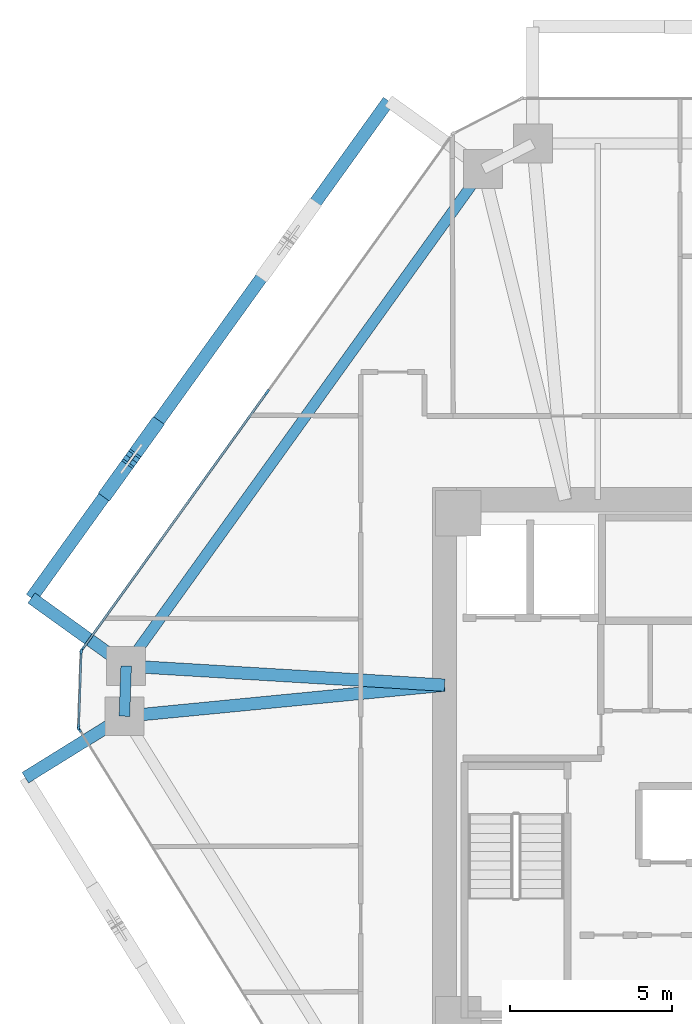
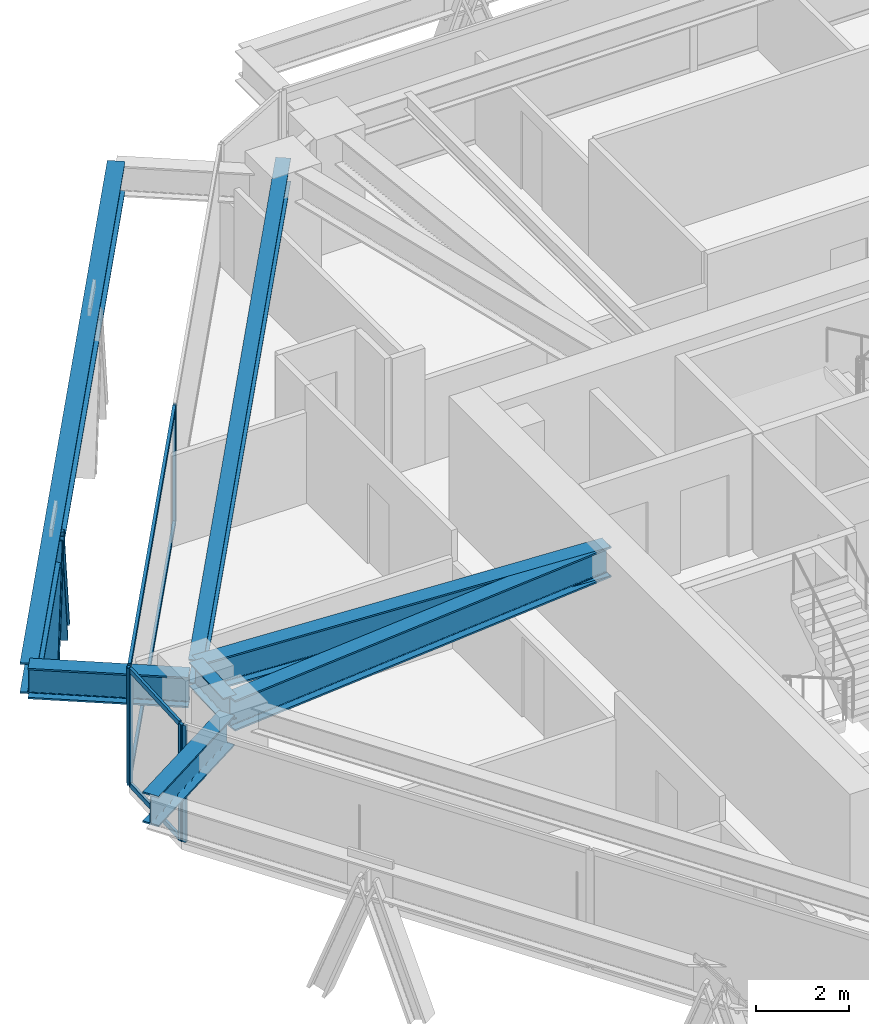
# One storey, part 4 of 16: 11 members, 7 beams, 3 elements without a shape of their own.
"""IFC4 building model written with IfcOpenShell, lengths in metres."""

from ifc_helpers import new_model, si_unit, direction, frame, origin, origin_2d, place, context, subcontext, project, spatial, rectangle, i_section, extrude, source, transform, mapped, material, layer, layer_set, material_profile, profile_set, type_object, type_shapes, element, aggregate, save


model = new_model("IFC4")

# Units and contexts
model_context = context("Model", 3, precision=1e-05, world=origin(), true_north=direction((0.0, 1.0)))
body_context = subcontext(model_context, "Body", "Model", "MODEL_VIEW")
ifc_project = project(units=[si_unit("LENGTHUNIT", "METRE"), si_unit("AREAUNIT", "SQUARE_METRE"), si_unit("VOLUMEUNIT", "CUBIC_METRE"), si_unit("PLANEANGLEUNIT", "RADIAN"), si_unit("MASSUNIT", "GRAM", prefix="KILO")], contexts=[model_context])

# Site, building, storey
site_placement = place(None, origin())
site = spatial("IfcSite", under=ifc_project, at=site_placement, CompositionType="ELEMENT")
building_placement = place(site_placement, origin())
building = spatial("IfcBuilding", under=site, at=building_placement, Name="Durnholm Broadcast Tower", CompositionType="ELEMENT")
storey_placement = place(building_placement, frame((0.0, 0.0, 110.699951171875)))
storey = spatial("IfcBuildingStorey", under=building, at=storey_placement, Name="L29", CompositionType="ELEMENT", Elevation=110.699951171875)

# Beams
ifc_material_1 = material(Name="Steel ASTM A992 Grade 50", Category="steel")
ifc_material_profile_1 = material_profile(ifc_material_1, i_section(OverallWidth=0.385009765625, OverallDepth=0.802978515625, WebThickness=0.023681640625, FlangeThickness=0.0419921875, FilletRadius=0.032958984375, at=origin_2d()), Name="W30X261")
ifc_profile_set_1 = profile_set([ifc_material_profile_1], Name="Steel ASTM A992 Grade 50")
beam_type_1 = type_object("IfcBeamType", Name="BM-EXO-TIE", PredefinedType="USERDEFINED", material=ifc_profile_set_1)
shared_shape_1 = source(origin(), body_context, "Body", "SweptSolid", [
    extrude(i_section(OverallWidth=0.385009765625, OverallDepth=0.802978515625, WebThickness=0.023681640625, FlangeThickness=0.0419921875, FilletRadius=0.032958984375, at=origin_2d()), origin(), (0.0, 0.0, 1.0), 3.4560546875),
])
for number, where, z_axis, x_axis, name in (
    (1, (-20.1669921875, 3.175048828125, 2.30859375), (-0.812164951739, 0.583427880005, 0.0), (-0.583427880005, -0.812164951739, 0.0), "L29 exoskeleton stand-off tie bracket F5.2"),
    (2, (-20.22509765625, 1.465576171875, 2.30859375), (-0.849795112316, -0.527113144481, 0.0), (0.527113144481, -0.849795112316, 0.0), "L29 exoskeleton stand-off tie bracket F6.1"),
):
    element("IfcBeam", number, at=place(storey_placement, frame(where, z_axis=z_axis, x_axis=x_axis)), inside=storey, type_object=beam_type_1, Name=name, ObjectType="GIRDER", PredefinedType="USERDEFINED", context=body_context, shape_type="MappedRepresentation", body=[
        mapped(shared_shape_1, transform((0.0, 0.0, 0.0), x_axis=(1.0, 0.0, 0.0), y_axis=(0.0, 1.0, 0.0), z_axis=(0.0, 0.0, 1.0), scale=1.0)),
    ])
ifc_material_profile_2 = material_profile(ifc_material_1, i_section(OverallWidth=0.3291015625, OverallDepth=0.635009765625, WebThickness=0.017822265625, FlangeThickness=0.031005859375, FilletRadius=0.02783203125, at=origin_2d()), Name="W24X162")
ifc_profile_set_2 = profile_set([ifc_material_profile_2], Name="Steel ASTM A992 Grade 50")
beam_type_2 = type_object("IfcBeamType", Name="STL-SP-W24X162", PredefinedType="SPANDREL", material=ifc_profile_set_2)
shared_shape_2 = source(origin(), body_context, "Body", "SweptSolid", [
    extrude(i_section(OverallWidth=0.3291015625, OverallDepth=0.635009765625, WebThickness=0.017822265625, FlangeThickness=0.031005859375, FilletRadius=0.02783203125, at=origin_2d()), origin(), (0.0, 0.0, 1.0), 1.550537109375),
])
beam_1_placement = place(storey_placement, frame((-20.102783203125, 1.54150390625, 2.7275390625), z_axis=(0.034012135923, 0.999421419928, 0.0), x_axis=(-0.999421419928, 0.034012135923, 0.0)))
element("IfcBeam", 3, at=beam_1_placement, inside=storey, type_object=beam_type_2, Name="L29 perimeter spandrel girder 02", PredefinedType="SPANDREL", context=body_context, shape_type="MappedRepresentation", body=[
    mapped(shared_shape_2, transform((0.0, 0.0, 0.0), x_axis=(1.0, 0.0, 0.0), y_axis=(0.0, 1.0, 0.0), z_axis=(0.0, 0.0, 1.0), scale=1.0)),
])
shared_shape_3 = source(origin(), body_context, "Body", "SweptSolid", [
    extrude(i_section(OverallWidth=0.3291015625, OverallDepth=0.635009765625, WebThickness=0.017822265625, FlangeThickness=0.031005859375, FilletRadius=0.02783203125, at=origin_2d()), origin(), (0.0, 0.0, 1.0), 18.884521484375),
])
type_shapes(beam_type_2, [shared_shape_2, shared_shape_3])
beam_2_placement = place(storey_placement, frame((-20.050048828125, 3.091064453125, 2.7275390625), z_axis=(0.583443434414, 0.812153777827, 0.0), x_axis=(-0.812153777827, 0.583443434414, 0.0)))
element("IfcBeam", 4, at=beam_2_placement, inside=storey, type_object=beam_type_2, Name="L29 perimeter spandrel girder 03", PredefinedType="SPANDREL", context=body_context, shape_type="MappedRepresentation", body=[
    mapped(shared_shape_3, transform((0.0, 0.0, 0.0), x_axis=(1.0, 0.0, 0.0), y_axis=(0.0, 1.0, 0.0), z_axis=(0.0, 0.0, 1.0), scale=1.0)),
])
ifc_material_profile_3 = material_profile(ifc_material_1, i_section(OverallWidth=0.385009765625, OverallDepth=0.802978515625, WebThickness=0.023681640625, FlangeThickness=0.0419921875, FilletRadius=0.032958984375, at=origin_2d()), Name="W30X261")
ifc_profile_set_3 = profile_set([ifc_material_profile_3], Name="Steel ASTM A992 Grade 50")
beam_type_3 = type_object("IfcBeamType", Name="STL-GR-W30X261", PredefinedType="USERDEFINED", material=ifc_profile_set_3)
shared_shape_4 = source(origin(), body_context, "Body", "SweptSolid", [
    extrude(i_section(OverallWidth=0.385009765625, OverallDepth=0.802978515625, WebThickness=0.023681640625, FlangeThickness=0.0419921875, FilletRadius=0.032958984375, at=origin_2d()), origin(), (0.0, 0.0, 1.0), 9.924072265625),
])
beam_3_placement = place(storey_placement, frame((-10.22509765625, 2.5, 2.6435546875), z_axis=(-0.995324947968, -0.096582855378, 0.0), x_axis=(0.096582855378, -0.995324947968, 0.0)))
element("IfcBeam", 5, at=beam_3_placement, inside=storey, type_object=beam_type_3, Name="L29 radial primary floor girder 02", ObjectType="GIRDER", PredefinedType="USERDEFINED", context=body_context, shape_type="MappedRepresentation", body=[
    mapped(shared_shape_4, transform((0.0, 0.0, 0.0), x_axis=(1.0, 0.0, 0.0), y_axis=(0.0, 1.0, 0.0), z_axis=(0.0, 0.0, 1.0), scale=1.0)),
])
shared_shape_5 = source(origin(), body_context, "Body", "SweptSolid", [
    extrude(i_section(OverallWidth=0.385009765625, OverallDepth=0.802978515625, WebThickness=0.023681640625, FlangeThickness=0.0419921875, FilletRadius=0.032958984375, at=origin_2d()), origin(), (0.0, 0.0, 1.0), 9.8427734375),
])
type_shapes(beam_type_3, [shared_shape_4, shared_shape_5])
beam_4_placement = place(storey_placement, frame((-10.22509765625, 2.5, 2.6435546875), z_axis=(-0.998195312551, 0.0600509617, 0.0), x_axis=(-0.0600509617, -0.998195312551, 0.0)))
element("IfcBeam", 6, at=beam_4_placement, inside=storey, type_object=beam_type_3, Name="L29 radial primary floor girder 03", ObjectType="GIRDER", PredefinedType="USERDEFINED", context=body_context, shape_type="MappedRepresentation", body=[
    mapped(shared_shape_5, transform((0.0, 0.0, 0.0), x_axis=(1.0, 0.0, 0.0), y_axis=(0.0, 1.0, 0.0), z_axis=(0.0, 0.0, 1.0), scale=1.0)),
])
shared_shape_6 = source(origin(), body_context, "Body", "SweptSolid", [
    extrude(i_section(OverallWidth=0.385009765625, OverallDepth=0.802978515625, WebThickness=0.023681640625, FlangeThickness=0.0419921875, FilletRadius=0.032958984375, at=origin_2d()), origin(), (0.0, 0.0, 1.0), 18.884765625),
])
type_shapes(beam_type_1, [shared_shape_1, shared_shape_6])
beam_5_placement = place(storey_placement, frame((-11.955810546875, 20.52880859375, 2.30859375), z_axis=(-0.583437308554, -0.812158178551, 0.0), x_axis=(0.812158178551, -0.583437308554, 0.0)))
element("IfcBeam", 7, at=beam_5_placement, inside=storey, type_object=beam_type_1, Name="L29 exoskeleton collector spandrel F5", PredefinedType="SPANDREL", context=body_context, shape_type="MappedRepresentation", body=[
    mapped(shared_shape_6, transform((0.0, 0.0, 0.0), x_axis=(1.0, 0.0, 0.0), y_axis=(0.0, 1.0, 0.0), z_axis=(0.0, 0.0, 1.0), scale=1.0)),
])

# Members
ifc_material_2 = material(Name="Steel ASTM A913 Grade 65", Category="steel")
ifc_material_profile_4 = material_profile(ifc_material_2, i_section(OverallWidth=0.424072265625, OverallDepth=0.47412109375, WebThickness=0.047607421875, FlangeThickness=0.0771484375, FilletRadius=0.030517578125, at=origin_2d()), Name="W14X426")
ifc_profile_set_4 = profile_set([ifc_material_profile_4], Name="Steel ASTM A913 Grade 65")
member_type_1 = type_object("IfcMemberType", Name="STL-DG-W14X426", PredefinedType="BRACE", material=ifc_profile_set_4)
shared_shape_7 = source(origin(), body_context, "Body", "SweptSolid", [
    extrude(i_section(OverallWidth=0.424072265625, OverallDepth=0.47412109375, WebThickness=0.047607421875, FlangeThickness=0.0771484375, FilletRadius=0.030517578125, at=origin_2d()), origin(), (0.0, 0.0, 1.0), 3.523193359375),
])
type_shapes(member_type_1, [shared_shape_7])
for number, where, z_axis, x_axis, name in (
    (8, (-19.1689453125, 10.488037109375, -0.991455078125), (-0.204350195342, -0.284454917557, 0.936657033039), (0.812153063014, -0.583444429434, 0.0), "L29 stand-off diagrid brace F5.D2.1"),
    (9, (-20.608642578125, 8.48388671875, -0.991455078125), (0.204287819296, 0.284395254542, 0.936688756248), (-0.812179469647, 0.583407669717, 0.0), "L29 stand-off diagrid brace F5.D2.2"),
):
    element("IfcMember", number, at=place(storey_placement, frame(where, z_axis=z_axis, x_axis=x_axis)), inside=storey, type_object=member_type_1, Name=name, PredefinedType="BRACE", context=body_context, shape_type="MappedRepresentation", body=[
        mapped(shared_shape_7, transform((0.0, 0.0, 0.0), x_axis=(1.0, 0.0, 0.0), y_axis=(0.0, 1.0, 0.0), z_axis=(0.0, 0.0, 1.0), scale=1.0)),
    ])

# Curtain wall, members
ifc_material_3 = material(Name="Aluminium and Solar Control IGU", Category="aluminium")
ifc_layer_1 = layer(ifc_material_3, 0.1650390625)
ifc_layer_set_1 = layer_set([ifc_layer_1], Name="Aluminium and Solar Control IGU")
curtain_wall_type_1 = type_object("IfcCurtainWallType", Name="CW-SYS-5", PredefinedType="NOTDEFINED", material=ifc_layer_set_1)
curtain_wall_1_placement = place(storey_placement, origin())
curtain_wall_1 = element("IfcCurtainWall", 10, at=curtain_wall_1_placement, inside=storey, type_object=curtain_wall_type_1, Name="L29 curtain wall CW-CORNER CW-L29-CRN-01", PredefinedType="NOTDEFINED")
ifc_material_4 = material(Name="Aluminium 6063-T6", Category="aluminium")
ifc_material_profile_5 = material_profile(ifc_material_4, rectangle(XDim=0.06494140625, YDim=0.1650390625, at=origin_2d()), Name="CWM65X165")
ifc_profile_set_5 = profile_set([ifc_material_profile_5], Name="Aluminium 6063-T6")
member_type_2 = type_object("IfcMemberType", Name="CW-SYS-5-MUL", PredefinedType="MULLION", material=ifc_profile_set_5)
shared_shape_8 = source(origin(), body_context, "Body", "SweptSolid", [
    extrude(rectangle(XDim=0.06494140625, YDim=0.1650390625, at=origin_2d()), origin(), (0.0, 0.0, 1.0), 3.06005859375),
])
type_shapes(member_type_2, [shared_shape_8])
member_1_placement = place(storey_placement, frame((-21.51513671875, 1.19677734375, 0.0), z_axis=(0.0, 0.0, 1.0), x_axis=(-0.999424655155, 0.033916937775, 0.0)))
member_1 = element("IfcMember", 11, at=member_1_placement, type_object=member_type_2, Name="CW-CORNER mullion 1", PredefinedType="MULLION", context=body_context, shape_type="MappedRepresentation", body=[
    mapped(shared_shape_8, transform((0.0, 0.0, 0.0), x_axis=(1.0, 0.0, 0.0), y_axis=(0.0, 1.0, 0.0), z_axis=(0.0, 0.0, 1.0), scale=1.0)),
])
member_2_placement = place(storey_placement, frame((-21.43603515625, 3.530517578125, 0.0), z_axis=(0.0, 0.0, 1.0), x_axis=(-0.999424655155, 0.033916937775, 0.0)))
member_2 = element("IfcMember", 12, at=member_2_placement, type_object=member_type_2, Name="CW-CORNER mullion 2", PredefinedType="MULLION", context=body_context, shape_type="MappedRepresentation", body=[
    mapped(shared_shape_8, transform((0.0, 0.0, 0.0), x_axis=(1.0, 0.0, 0.0), y_axis=(0.0, 1.0, 0.0), z_axis=(0.0, 0.0, 1.0), scale=1.0)),
])

ifc_layer_2 = layer(ifc_material_3, 0.18994140625)
ifc_layer_set_2 = layer_set([ifc_layer_2], Name="Aluminium and Solar Control IGU")
curtain_wall_type_2 = type_object("IfcCurtainWallType", Name="CW-SYS-3", PredefinedType="NOTDEFINED", material=ifc_layer_set_2)
curtain_wall_2_placement = place(storey_placement, origin())
curtain_wall_2 = element("IfcCurtainWall", 13, at=curtain_wall_2_placement, inside=storey, type_object=curtain_wall_type_2, Name="L29 curtain wall CW-Z12-VIS CW-L29-F02", PredefinedType="NOTDEFINED")
ifc_material_profile_6 = material_profile(ifc_material_4, rectangle(XDim=0.070068359375, YDim=0.18994140625, at=origin_2d()), Name="CWM70X190")
ifc_profile_set_6 = profile_set([ifc_material_profile_6], Name="Aluminium 6063-T6")
member_type_3 = type_object("IfcMemberType", Name="CW-SYS-3-MUL", PredefinedType="MULLION", material=ifc_profile_set_6)
shared_shape_9 = source(origin(), body_context, "Body", "SweptSolid", [
    extrude(rectangle(XDim=0.070068359375, YDim=0.18994140625, at=origin_2d()), origin(), (0.0, 0.0, 1.0), 3.06005859375),
])
type_shapes(member_type_3, [shared_shape_9])
member_3_placement = place(storey_placement, frame((-21.41455078125, 3.59130859375, 0.0), z_axis=(0.0, 0.0, 1.0), x_axis=(-0.812152312759, 0.583445473786, 0.0)))
member_3 = element("IfcMember", 14, at=member_3_placement, type_object=member_type_3, Name="CW-Z12-VIS mullion 1", PredefinedType="MULLION", context=body_context, shape_type="MappedRepresentation", body=[
    mapped(shared_shape_9, transform((0.0, 0.0, 0.0), x_axis=(1.0, 0.0, 0.0), y_axis=(0.0, 1.0, 0.0), z_axis=(0.0, 0.0, 1.0), scale=1.0)),
])
member_4_placement = place(storey_placement, frame((-15.703369140625, 11.541259765625, 0.0), z_axis=(0.0, 0.0, 1.0), x_axis=(-0.812152312759, 0.583445473786, 0.0)))
member_4 = element("IfcMember", 15, at=member_4_placement, type_object=member_type_3, Name="CW-Z12-VIS mullion 2", PredefinedType="MULLION", context=body_context, shape_type="MappedRepresentation", body=[
    mapped(shared_shape_9, transform((0.0, 0.0, 0.0), x_axis=(1.0, 0.0, 0.0), y_axis=(0.0, 1.0, 0.0), z_axis=(0.0, 0.0, 1.0), scale=1.0)),
])

# Curtain wall, member
curtain_wall_3_placement = place(storey_placement, origin())
curtain_wall_3 = element("IfcCurtainWall", 16, at=curtain_wall_3_placement, inside=storey, type_object=curtain_wall_type_2, Name="L29 curtain wall CW-Z12-VIS CW-L29-F12", PredefinedType="NOTDEFINED")
member_5_placement = place(storey_placement, frame((-21.497802734375, 1.134765625, 0.0), z_axis=(0.0, 0.0, 1.0), x_axis=(-0.849799925229, -0.527105385176, 0.0)))
member_5 = element("IfcMember", 17, at=member_5_placement, type_object=member_type_3, Name="CW-Z12-VIS mullion 3", PredefinedType="MULLION", context=body_context, shape_type="MappedRepresentation", body=[
    mapped(shared_shape_9, transform((0.0, 0.0, 0.0), x_axis=(1.0, 0.0, 0.0), y_axis=(0.0, 1.0, 0.0), z_axis=(0.0, 0.0, 1.0), scale=1.0)),
])
aggregate(curtain_wall_3, [member_5])

# Member
ifc_material_profile_7 = material_profile(ifc_material_4, rectangle(XDim=0.06494140625, YDim=0.1298828125, at=origin_2d()), Name="CWT65X130")
ifc_profile_set_7 = profile_set([ifc_material_profile_7], Name="Aluminium 6063-T6")
member_type_4 = type_object("IfcMemberType", Name="CW-SYS-5-TRN", PredefinedType="USERDEFINED", material=ifc_profile_set_7)
shared_shape_10 = source(origin(), body_context, "Body", "SweptSolid", [
    extrude(rectangle(XDim=0.06494140625, YDim=0.1298828125, at=origin_2d()), origin(), (0.0, 0.0, 1.0), 2.27001953125),
])
type_shapes(member_type_4, [shared_shape_10])
member_6_placement = place(storey_placement, frame((-21.51416015625, 1.229248046875, 0.032470703125), z_axis=(0.03398444704, 0.999422361847, 0.0), x_axis=(-0.999422361847, 0.03398444704, 0.0)))
member_6 = element("IfcMember", 18, at=member_6_placement, type_object=member_type_4, Name="CW-CORNER transom 1.1", ObjectType="TRANSOM", PredefinedType="USERDEFINED", context=body_context, shape_type="MappedRepresentation", body=[
    mapped(shared_shape_10, transform((0.0, 0.0, 0.0), x_axis=(1.0, 0.0, 0.0), y_axis=(0.0, 1.0, 0.0), z_axis=(0.0, 0.0, 1.0), scale=1.0)),
])

member_7_placement = place(storey_placement, frame((-21.51416015625, 1.229248046875, 3.027587890625), z_axis=(0.03398444704, 0.999422361847, 0.0), x_axis=(-0.999422361847, 0.03398444704, 0.0)))
member_7 = element("IfcMember", 19, at=member_7_placement, type_object=member_type_4, Name="CW-CORNER transom 1.2", ObjectType="TRANSOM", PredefinedType="USERDEFINED", context=body_context, shape_type="MappedRepresentation", body=[
    mapped(shared_shape_10, transform((0.0, 0.0, 0.0), x_axis=(1.0, 0.0, 0.0), y_axis=(0.0, 1.0, 0.0), z_axis=(0.0, 0.0, 1.0), scale=1.0)),
])

aggregate(curtain_wall_1, [member_1, member_2, member_6, member_7])

ifc_material_profile_8 = material_profile(ifc_material_4, rectangle(XDim=0.070068359375, YDim=0.14990234375, at=origin_2d()), Name="CWT70X150")
ifc_profile_set_8 = profile_set([ifc_material_profile_8], Name="Aluminium 6063-T6")
member_type_5 = type_object("IfcMemberType", Name="CW-SYS-3-TRN", PredefinedType="USERDEFINED", material=ifc_profile_set_8)
shared_shape_11 = source(origin(), body_context, "Body", "SweptSolid", [
    extrude(rectangle(XDim=0.070068359375, YDim=0.14990234375, at=origin_2d()), origin(), (0.0, 0.0, 1.0), 9.71875),
])
type_shapes(member_type_5, [shared_shape_11])
member_8_placement = place(storey_placement, frame((-21.39404296875, 3.619873046875, 0.03515625), z_axis=(0.583450726174, 0.812148539448, 0.0), x_axis=(-0.812148539448, 0.583450726174, 0.0)))
member_8 = element("IfcMember", 20, at=member_8_placement, type_object=member_type_5, Name="CW-Z12-VIS transom 1.1", ObjectType="TRANSOM", PredefinedType="USERDEFINED", context=body_context, shape_type="MappedRepresentation", body=[
    mapped(shared_shape_11, transform((0.0, 0.0, 0.0), x_axis=(1.0, 0.0, 0.0), y_axis=(0.0, 1.0, 0.0), z_axis=(0.0, 0.0, 1.0), scale=1.0)),
])

member_9_placement = place(storey_placement, frame((-21.39404296875, 3.619873046875, 3.025146484375), z_axis=(0.583450726174, 0.812148539448, 0.0), x_axis=(-0.812148539448, 0.583450726174, 0.0)))
member_9 = element("IfcMember", 21, at=member_9_placement, type_object=member_type_5, Name="CW-Z12-VIS transom 1.2", ObjectType="TRANSOM", PredefinedType="USERDEFINED", context=body_context, shape_type="MappedRepresentation", body=[
    mapped(shared_shape_11, transform((0.0, 0.0, 0.0), x_axis=(1.0, 0.0, 0.0), y_axis=(0.0, 1.0, 0.0), z_axis=(0.0, 0.0, 1.0), scale=1.0)),
])

aggregate(curtain_wall_2, [member_3, member_4, member_8, member_9])

save(model, "model.ifc")
